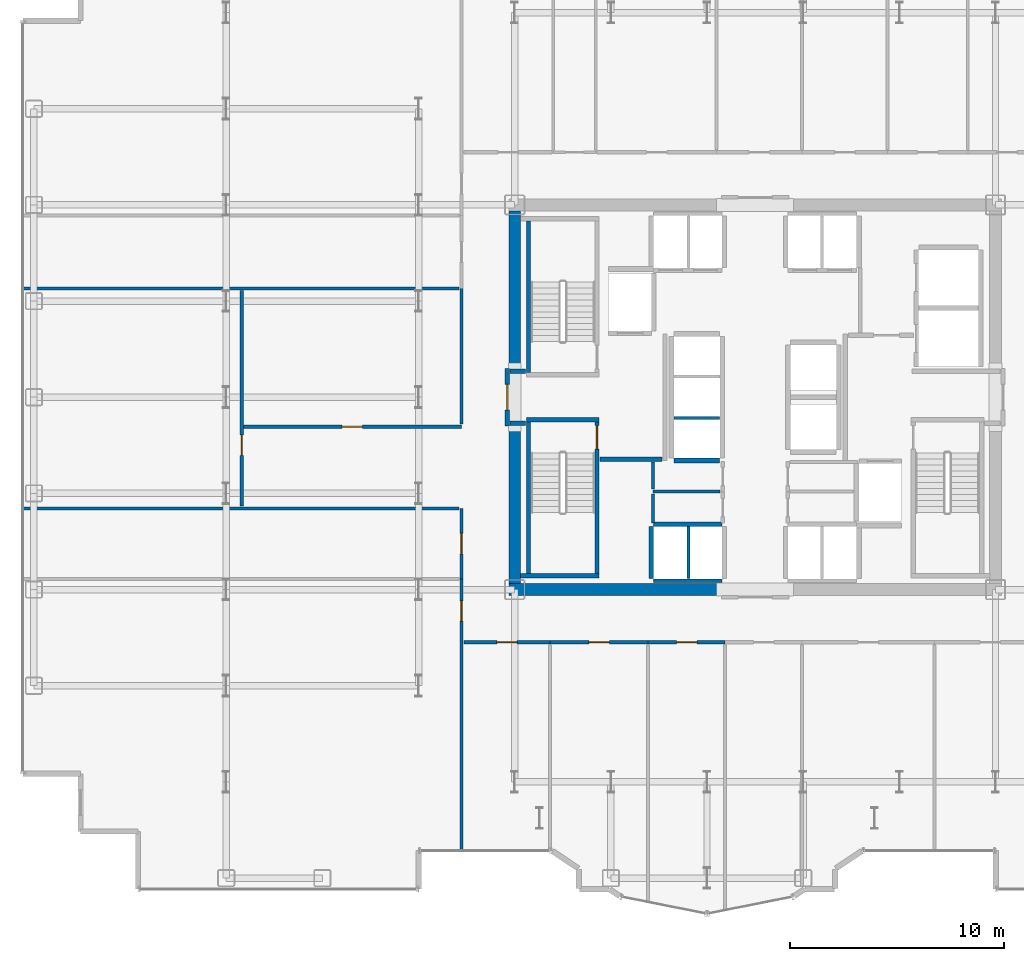
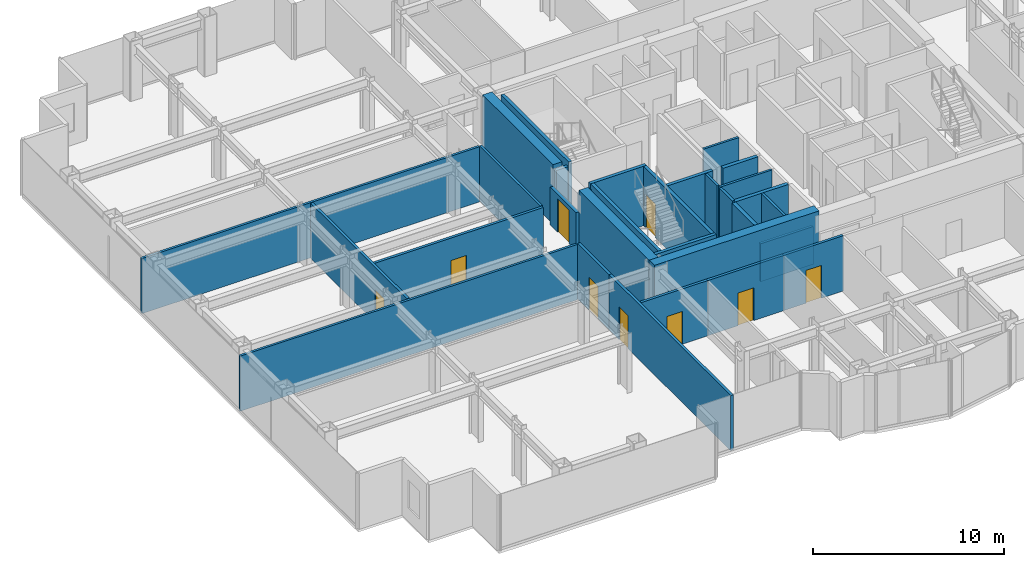
# One storey, part 20 of 26: 31 walls, 9 doors, 9 openings.
"""IFC4 building model written with IfcOpenShell, lengths in metres."""

from ifc_helpers import new_model, si_unit, direction, frame, frame_2d, origin, place, context, subcontext, project, spatial, rectangle, extrude, source, transform, mapped, material, layer, layer_set, type_object, element, fill, save


model = new_model("IFC4")

# Units and contexts
model_context = context("Model", 3, precision=1e-05, world=origin(), true_north=direction((0.0, 1.0)))
body_context = subcontext(model_context, "Body", "Model", "MODEL_VIEW")
ifc_project = project(units=[si_unit("LENGTHUNIT", "METRE"), si_unit("AREAUNIT", "SQUARE_METRE"), si_unit("VOLUMEUNIT", "CUBIC_METRE"), si_unit("PLANEANGLEUNIT", "RADIAN"), si_unit("MASSUNIT", "GRAM", prefix="KILO")], contexts=[model_context])

# Site, building, storey
site_placement = place(None, origin())
site = spatial("IfcSite", under=ifc_project, at=site_placement, CompositionType="ELEMENT")
building_placement = place(site_placement, origin())
building = spatial("IfcBuilding", under=site, at=building_placement, Name="Nefas-Gora Pilgrimage Tower", CompositionType="ELEMENT")
storey_placement = place(building_placement, frame((0.0, 0.0, 121.199951171875)))
storey = spatial("IfcBuildingStorey", under=building, at=storey_placement, Name="L29", CompositionType="ELEMENT", Elevation=121.199951171875)

# Walls
ifc_material_1 = material(Name="Concrete C60/75", Category="concrete")
ifc_layer_1 = layer(ifc_material_1, 0.550048828125)
ifc_layer_set_1 = layer_set([ifc_layer_1], Name="Concrete C60/75")
wall_type_1 = type_object("IfcWallType", Name="SW-CORE-550", PredefinedType="SHEAR", material=ifc_layer_set_1)
shared_shape_1 = source(origin(), body_context, "Body", "SweptSolid", [
    extrude(rectangle(XDim=9.974853515625, YDim=0.550048828125, at=frame_2d((4.9873046875, 0.0))), origin(), (0.0, 0.0, 1.0), 3.800048828125),
])
wall_1_placement = place(storey_placement, frame((-11.52490234375, -9.0, 0.0), z_axis=(0.0, 0.0, 1.0), x_axis=(1.0, 0.0, 0.0)))
element("IfcWall", 1, at=wall_1_placement, inside=storey, type_object=wall_type_1, Name="L29 Core Shear Wall S-West", PredefinedType="SHEAR", context=body_context, shape_type="MappedRepresentation", body=[
    mapped(shared_shape_1, transform((0.0, 0.0, 0.0), x_axis=(1.0, 0.0, 0.0), y_axis=(0.0, 1.0, 0.0), z_axis=(0.0, 0.0, 1.0), scale=1.0)),
])
shared_shape_2 = source(origin(), body_context, "Body", "SweptSolid", [
    extrude(rectangle(XDim=7.375, YDim=0.550048828125, at=frame_2d((3.6875, 0.0))), origin(), (0.0, 0.0, 1.0), 3.800048828125),
])
for number, where, z_axis, x_axis, name in (
    (2, (-11.25, -8.72509765625, 0.0), (0.0, 0.0, 1.0), (0.0, 1.0, 0.0), "L29 Core Shear Wall W-South"),
    (3, (-11.25, 1.35009765625, 0.0), (0.0, 0.0, 1.0), (0.0, 1.0, 0.0), "L29 Core Shear Wall W-North"),
):
    element("IfcWall", number, at=place(storey_placement, frame(where, z_axis=z_axis, x_axis=x_axis)), inside=storey, type_object=wall_type_1, Name=name, PredefinedType="SHEAR", context=body_context, shape_type="MappedRepresentation", body=[
        mapped(shared_shape_2, transform((0.0, 0.0, 0.0), x_axis=(1.0, 0.0, 0.0), y_axis=(0.0, 1.0, 0.0), z_axis=(0.0, 0.0, 1.0), scale=1.0)),
    ])
ifc_material_2 = material(Name="Concrete C45/55", Category="concrete")
ifc_layer_2 = layer(ifc_material_2, 0.199951171875)
ifc_layer_set_2 = layer_set([ifc_layer_2], Name="Concrete C45/55")
wall_type_2 = type_object("IfcWallType", Name="IW-STAIR-200", PredefinedType="SOLIDWALL", material=ifc_layer_set_2)
shared_shape_3 = source(origin(), body_context, "Body", "SweptSolid", [
    extrude(rectangle(XDim=3.39990234375, YDim=0.199951171875, at=frame_2d((1.699951171875, 0.0))), origin(), (0.0, 0.0, 1.0), 3.800048828125),
])
wall_2_placement = place(storey_placement, frame((-10.699951171875, -1.050048828125, 0.0), z_axis=(0.0, 0.0, 1.0), x_axis=(1.0, 0.0, 0.0)))
element("IfcWall", 4, at=wall_2_placement, inside=storey, type_object=wall_type_2, Name="L29 Stairwell Shear Wall ST-03-near", PredefinedType="SOLIDWALL", context=body_context, shape_type="MappedRepresentation", body=[
    mapped(shared_shape_3, transform((0.0, 0.0, 0.0), x_axis=(1.0, 0.0, 0.0), y_axis=(0.0, 1.0, 0.0), z_axis=(0.0, 0.0, 1.0), scale=1.0)),
])
shared_shape_4 = source(origin(), body_context, "Body", "SweptSolid", [
    extrude(rectangle(XDim=7.10009765625, YDim=0.199951171875, at=frame_2d((3.550048828125, 0.0))), origin(), (0.0, 0.0, 1.0), 3.800048828125),
])
for number, where, z_axis, x_axis, name in (
    (5, (-10.60009765625, 1.14990234375, 0.0), (0.0, 0.0, 1.0), (0.0, 1.0, 0.0), "L29 Stairwell Shear Wall ST-01-right"),
    (6, (-10.60009765625, -1.14990234375, 0.0), (0.0, 0.0, 1.0), (0.0, -1.0, 0.0), "L29 Stairwell Shear Wall ST-03-left"),
):
    element("IfcWall", number, at=place(storey_placement, frame(where, z_axis=z_axis, x_axis=x_axis)), inside=storey, type_object=wall_type_2, Name=name, PredefinedType="SOLIDWALL", context=body_context, shape_type="MappedRepresentation", body=[
        mapped(shared_shape_4, transform((0.0, 0.0, 0.0), x_axis=(1.0, 0.0, 0.0), y_axis=(0.0, 1.0, 0.0), z_axis=(0.0, 0.0, 1.0), scale=1.0)),
    ])

# Wall, opening, door
wall_3_placement = place(storey_placement, frame((-7.39990234375, -1.14990234375, 0.0), z_axis=(0.0, 0.0, 1.0), x_axis=(0.0, -1.0, 0.0)))
wall_3 = element("IfcWall", 7, at=wall_3_placement, inside=storey, type_object=wall_type_2, Name="L29 Stairwell Shear Wall ST-03-right", PredefinedType="SOLIDWALL", context=body_context, shape_type="MappedRepresentation", body=[
    mapped(shared_shape_4, transform((0.0, 0.0, 0.0), x_axis=(1.0, 0.0, 0.0), y_axis=(0.0, 1.0, 0.0), z_axis=(0.0, 0.0, 1.0), scale=1.0)),
])
opening_1_placement = place(wall_3_placement, frame((0.179931640625, 0.0, 0.0)))
opening_1 = element("IfcOpeningElement", 8, at=opening_1_placement, cuts=wall_3, Name="Opening ID-ST1", PredefinedType="OPENING", context=body_context, shape_type="SweptSolid", body=[
    extrude(rectangle(XDim=1.10009765625, YDim=2.14990234375, at=frame_2d((0.550048828125, 1.074951171875))), frame((0.0, 0.10986328125, 0.0), z_axis=(0.0, -1.0, 0.0), x_axis=(1.0, 0.0, 0.0)), (0.0, 0.0, 1.0), 0.219970703125),
])
ifc_material_3 = material(Name="Painted galvanised steel fire stair door", Category="steel")
door_type_1 = type_object("IfcDoorType", Name="DR-INT-STAIR-1100", OperationType="NOTDEFINED", PredefinedType="DOOR", material=ifc_material_3)
shared_shape_5 = source(origin(), body_context, "Body", "SweptSolid", [
    extrude(rectangle(XDim=1.10009765625, YDim=2.14990234375, at=frame_2d((0.550048828125, 1.074951171875))), frame((0.0, 0.02490234375, 0.0), z_axis=(0.0, -1.0, 0.0), x_axis=(1.0, 0.0, 0.0)), (0.0, 0.0, 1.0), 0.050048828125),
])
door_1_placement = place(opening_1_placement, origin())
door_1 = element("IfcDoor", 9, at=door_1_placement, inside=storey, type_object=door_type_1, Name="L29 Protected Exit Stair Door ST-03", OperationType="SINGLE_SWING_LEFT", OverallHeight=2.14990234375, OverallWidth=1.10009765625, PredefinedType="DOOR", context=body_context, shape_type="MappedRepresentation", body=[
    mapped(shared_shape_5, transform((0.0, 0.0, 0.0), x_axis=(1.0, 0.0, 0.0), y_axis=(0.0, 1.0, 0.0), z_axis=(0.0, 0.0, 1.0), scale=1.0)),
])
fill(opening_1, door_1)

# Walls
shared_shape_6 = source(origin(), body_context, "Body", "SweptSolid", [
    extrude(rectangle(XDim=3.679931640625, YDim=0.199951171875, at=frame_2d((1.83984375, 0.0))), origin(), (0.0, 0.0, 1.0), 3.800048828125),
])
wall_4_placement = place(storey_placement, frame((-10.97998046875, -8.35009765625, 0.0), z_axis=(0.0, 0.0, 1.0), x_axis=(1.0, 0.0, 0.0)))
element("IfcWall", 10, at=wall_4_placement, inside=storey, type_object=wall_type_2, Name="L29 Stairwell Shear Wall ST-03-far", PredefinedType="SOLIDWALL", context=body_context, shape_type="MappedRepresentation", body=[
    mapped(shared_shape_6, transform((0.0, 0.0, 0.0), x_axis=(1.0, 0.0, 0.0), y_axis=(0.0, 1.0, 0.0), z_axis=(0.0, 0.0, 1.0), scale=1.0)),
])
ifc_material_4 = material(Name="Gypsum acoustic stud partition")
ifc_layer_3 = layer(ifc_material_4, 0.159912109375)
ifc_layer_set_3 = layer_set([ifc_layer_3], Name="Gypsum acoustic stud partition")
wall_type_3 = type_object("IfcWallType", Name="IW-CORR-160", PredefinedType="PARTITIONING", material=ifc_layer_set_3)
shared_shape_7 = source(origin(), body_context, "Body", "SweptSolid", [
    extrude(rectangle(XDim=3.199951171875, YDim=0.159912109375, at=frame_2d((1.60009765625, 0.0))), origin(), (0.0, 0.0, 1.0), 2.425048828125),
])
wall_5_placement = place(storey_placement, frame((-4.75, -8.580078125, 0.0), z_axis=(0.0, 0.0, 1.0), x_axis=(1.0, 0.0, 0.0)))
element("IfcWall", 11, at=wall_5_placement, inside=storey, type_object=wall_type_3, Name="L29 Hoistway Wall PL2-W-S", PredefinedType="PARTITIONING", context=body_context, shape_type="MappedRepresentation", body=[
    mapped(shared_shape_7, transform((0.0, 0.0, 0.0), x_axis=(1.0, 0.0, 0.0), y_axis=(0.0, 1.0, 0.0), z_axis=(0.0, 0.0, 1.0), scale=1.0)),
])
ifc_material_5 = material(Name="Concrete C40/50", Category="concrete")
ifc_layer_4 = layer(ifc_material_5, 0.219970703125)
ifc_layer_set_4 = layer_set([ifc_layer_4], Name="Concrete C40/50")
wall_type_4 = type_object("IfcWallType", Name="IW-SHAFT-220", PredefinedType="SOLIDWALL", material=ifc_layer_set_4)
shared_shape_8 = source(origin(), body_context, "Body", "SweptSolid", [
    extrude(rectangle(XDim=3.199951171875, YDim=0.219970703125, at=frame_2d((1.60009765625, 0.0))), origin(), (0.0, 0.0, 1.0), 3.53515625),
])
wall_6_placement = place(storey_placement, frame((-1.550048828125, -5.93994140625, 0.0), z_axis=(0.0, 0.0, 1.0), x_axis=(-1.0, 0.0, 0.0)))
element("IfcWall", 12, at=wall_6_placement, inside=storey, type_object=wall_type_4, Name="L29 Hoistway Wall PL2-W-N", PredefinedType="SOLIDWALL", context=body_context, shape_type="MappedRepresentation", body=[
    mapped(shared_shape_8, transform((0.0, 0.0, 0.0), x_axis=(1.0, 0.0, 0.0), y_axis=(0.0, 1.0, 0.0), z_axis=(0.0, 0.0, 1.0), scale=1.0)),
])
shared_shape_9 = source(origin(), body_context, "Body", "SweptSolid", [
    extrude(rectangle(XDim=2.429931640625, YDim=0.219970703125, at=frame_2d((1.21484375, 0.0))), origin(), (0.0, 0.0, 1.0), 3.53515625),
])
wall_7_placement = place(storey_placement, frame((-4.860107421875, -6.06005859375, 0.0), z_axis=(0.0, 0.0, 1.0), x_axis=(0.0, -1.0, 0.0)))
element("IfcWall", 13, at=wall_7_placement, inside=storey, type_object=wall_type_4, Name="L29 Hoistway Wall PL2-W-W", PredefinedType="SOLIDWALL", context=body_context, shape_type="MappedRepresentation", body=[
    mapped(shared_shape_9, transform((0.0, 0.0, 0.0), x_axis=(1.0, 0.0, 0.0), y_axis=(0.0, 1.0, 0.0), z_axis=(0.0, 0.0, 1.0), scale=1.0)),
])
ifc_material_6 = material(Name="Gypsum twin-stud partition")
ifc_layer_5 = layer(ifc_material_6, 0.139892578125)
ifc_layer_set_5 = layer_set([ifc_layer_5], Name="Gypsum twin-stud partition")
wall_type_5 = type_object("IfcWallType", Name="IW-UNIT-140", PredefinedType="PARTITIONING", material=ifc_layer_set_5)
shared_shape_10 = source(origin(), body_context, "Body", "SweptSolid", [
    extrude(rectangle(XDim=2.429931640625, YDim=0.139892578125, at=frame_2d((1.21484375, 0.0))), origin(), (0.0, 0.0, 1.0), 3.53515625),
])
wall_8_placement = place(storey_placement, frame((-3.125, -8.489990234375, 0.0), z_axis=(0.0, 0.0, 1.0), x_axis=(0.0, 1.0, 0.0)))
element("IfcWall", 14, at=wall_8_placement, inside=storey, type_object=wall_type_5, Name="L29 Hoistway Wall PL2-W-DIV", PredefinedType="PARTITIONING", context=body_context, shape_type="MappedRepresentation", body=[
    mapped(shared_shape_10, transform((0.0, 0.0, 0.0), x_axis=(1.0, 0.0, 0.0), y_axis=(0.0, 1.0, 0.0), z_axis=(0.0, 0.0, 1.0), scale=1.0)),
])
shared_shape_11 = source(origin(), body_context, "Body", "SweptSolid", [
    extrude(rectangle(XDim=2.130126953125, YDim=0.219970703125, at=frame_2d((1.06494140625, 0.0))), origin(), (0.0, 0.0, 1.0), 3.53515625),
])
wall_9_placement = place(storey_placement, frame((-3.7900390625, -2.9599609375, 0.0), z_axis=(0.0, 0.0, 1.0), x_axis=(1.0, 0.0, 0.0)))
element("IfcWall", 15, at=wall_9_placement, inside=storey, type_object=wall_type_4, Name="L29 Hoistway Wall PL3-01-S", PredefinedType="SOLIDWALL", context=body_context, shape_type="MappedRepresentation", body=[
    mapped(shared_shape_11, transform((0.0, 0.0, 0.0), x_axis=(1.0, 0.0, 0.0), y_axis=(0.0, 1.0, 0.0), z_axis=(0.0, 0.0, 1.0), scale=1.0)),
])
shared_shape_12 = source(origin(), body_context, "Body", "SweptSolid", [
    extrude(rectangle(XDim=2.130126953125, YDim=0.139892578125, at=frame_2d((1.06494140625, 0.0))), origin(), (0.0, 0.0, 1.0), 3.53515625),
])
wall_10_placement = place(storey_placement, frame((-3.7900390625, -0.97509765625, 0.0), z_axis=(0.0, 0.0, 1.0), x_axis=(1.0, 0.0, 0.0)))
element("IfcWall", 16, at=wall_10_placement, inside=storey, type_object=wall_type_5, Name="L29 Hoistway Wall PL3-01-02-DIV", PredefinedType="PARTITIONING", context=body_context, shape_type="MappedRepresentation", body=[
    mapped(shared_shape_12, transform((0.0, 0.0, 0.0), x_axis=(1.0, 0.0, 0.0), y_axis=(0.0, 1.0, 0.0), z_axis=(0.0, 0.0, 1.0), scale=1.0)),
])

# Wall, opening, door
ifc_material_7 = material(Name="Gypsum fire-rated shaftwall")
ifc_layer_6 = layer(ifc_material_7, 0.199951171875)
ifc_layer_set_6 = layer_set([ifc_layer_6], Name="Gypsum fire-rated shaftwall")
wall_type_6 = type_object("IfcWallType", Name="IW-FFLOB-200", PredefinedType="PARTITIONING", material=ifc_layer_set_6)
shared_shape_13 = source(origin(), body_context, "Body", "SweptSolid", [
    extrude(rectangle(XDim=2.7001953125, YDim=0.199951171875, at=frame_2d((1.35009765625, 0.0))), origin(), (0.0, 0.0, 1.0), 2.425048828125),
])
wall_11_placement = place(storey_placement, frame((-11.60009765625, -1.35009765625, 0.0), z_axis=(0.0, 0.0, 1.0), x_axis=(0.0, 1.0, 0.0)))
wall_11 = element("IfcWall", 17, at=wall_11_placement, inside=storey, type_object=wall_type_6, Name="L29 FF Lobby West Portal Wall 3", PredefinedType="PARTITIONING", context=body_context, shape_type="MappedRepresentation", body=[
    mapped(shared_shape_13, transform((0.0, 0.0, 0.0), x_axis=(1.0, 0.0, 0.0), y_axis=(0.0, 1.0, 0.0), z_axis=(0.0, 0.0, 1.0), scale=1.0)),
])
opening_2_placement = place(wall_11_placement, frame((0.75, 0.0, 0.0)))
opening_2 = element("IfcOpeningElement", 18, at=opening_2_placement, cuts=wall_11, Name="Opening ID-FF1", PredefinedType="OPENING", context=body_context, shape_type="SweptSolid", body=[
    extrude(rectangle(XDim=1.199951171875, YDim=2.14990234375, at=frame_2d((0.60009765625, 1.074951171875))), frame((0.0, 0.10986328125, 0.0), z_axis=(0.0, -1.0, 0.0), x_axis=(1.0, 0.0, 0.0)), (0.0, 0.0, 1.0), 0.219970703125),
])
ifc_material_8 = material(Name="Smoke-sealed steel firefighting lobby door", Category="steel")
door_type_2 = type_object("IfcDoorType", Name="DR-INT-FFLOB-1200", OperationType="NOTDEFINED", PredefinedType="DOOR", material=ifc_material_8)
shared_shape_14 = source(origin(), body_context, "Body", "SweptSolid", [
    extrude(rectangle(XDim=1.199951171875, YDim=2.14990234375, at=frame_2d((0.60009765625, 1.074951171875))), frame((0.0, 0.02490234375, 0.0), z_axis=(0.0, -1.0, 0.0), x_axis=(1.0, 0.0, 0.0)), (0.0, 0.0, 1.0), 0.050048828125),
])
door_2_placement = place(opening_2_placement, origin())
door_2 = element("IfcDoor", 19, at=door_2_placement, inside=storey, type_object=door_type_2, Name="L29 FF Lobby West Portal Door 1", OperationType="SINGLE_SWING_LEFT", OverallHeight=2.14990234375, OverallWidth=1.199951171875, PredefinedType="DOOR", context=body_context, shape_type="MappedRepresentation", body=[
    mapped(shared_shape_14, transform((0.0, 0.0, 0.0), x_axis=(1.0, 0.0, 0.0), y_axis=(0.0, 1.0, 0.0), z_axis=(0.0, 0.0, 1.0), scale=1.0)),
])
fill(opening_2, door_2)

# Walls
shared_shape_15 = source(origin(), body_context, "Body", "SweptSolid", [
    extrude(rectangle(XDim=2.89990234375, YDim=0.199951171875, at=frame_2d((1.449951171875, 0.0))), origin(), (0.0, 0.0, 1.0), 3.53515625),
])
wall_12_placement = place(storey_placement, frame((-7.260009765625, -2.89990234375, 0.0), z_axis=(0.0, 0.0, 1.0), x_axis=(1.0, 0.0, 0.0)))
element("IfcWall", 20, at=wall_12_placement, inside=storey, type_object=wall_type_6, Name="L29 FF Lobby West South Wall Wall 5", PredefinedType="PARTITIONING", context=body_context, shape_type="MappedRepresentation", body=[
    mapped(shared_shape_15, transform((0.0, 0.0, 0.0), x_axis=(1.0, 0.0, 0.0), y_axis=(0.0, 1.0, 0.0), z_axis=(0.0, 0.0, 1.0), scale=1.0)),
])
shared_shape_16 = source(origin(), body_context, "Body", "SweptSolid", [
    extrude(rectangle(XDim=0.719970703125, YDim=0.199951171875, at=frame_2d((0.35986328125, 0.0))), origin(), (0.0, 0.0, 1.0), 3.53515625),
])
for number, where, z_axis, x_axis, name in (
    (21, (-11.4599609375, 1.219970703125, 0.0), (0.0, 0.0, 1.0), (1.0, 0.0, 0.0), "L29 FF Lobby West Throat N Wall 6"),
    (22, (-11.4599609375, -1.219970703125, 0.0), (0.0, 0.0, 1.0), (1.0, 0.0, 0.0), "L29 FF Lobby West Throat S Wall 7"),
):
    element("IfcWall", number, at=place(storey_placement, frame(where, z_axis=z_axis, x_axis=x_axis)), inside=storey, type_object=wall_type_6, Name=name, PredefinedType="PARTITIONING", context=body_context, shape_type="MappedRepresentation", body=[
        mapped(shared_shape_16, transform((0.0, 0.0, 0.0), x_axis=(1.0, 0.0, 0.0), y_axis=(0.0, 1.0, 0.0), z_axis=(0.0, 0.0, 1.0), scale=1.0)),
    ])
shared_shape_17 = source(origin(), body_context, "Body", "SweptSolid", [
    extrude(rectangle(XDim=3.150146484375, YDim=0.139892578125, at=frame_2d((1.5751953125, 0.0))), origin(), (0.0, 0.0, 1.0), 3.53515625),
])
wall_13_placement = place(storey_placement, frame((-4.7900390625, -4.409912109375, 0.0), z_axis=(0.0, 0.0, 1.0), x_axis=(1.0, 0.0, 0.0)))
element("IfcWall", 23, at=wall_13_placement, inside=storey, type_object=wall_type_5, Name="L29 Housekeeping and Linen Store Partition Wall 17", PredefinedType="PARTITIONING", context=body_context, shape_type="MappedRepresentation", body=[
    mapped(shared_shape_17, transform((0.0, 0.0, 0.0), x_axis=(1.0, 0.0, 0.0), y_axis=(0.0, 1.0, 0.0), z_axis=(0.0, 0.0, 1.0), scale=1.0)),
])
shared_shape_18 = source(origin(), body_context, "Body", "SweptSolid", [
    extrude(rectangle(XDim=1.260009765625, YDim=0.139892578125, at=frame_2d((0.6298828125, 0.0))), origin(), (0.0, 0.0, 1.0), 3.53515625),
])
wall_14_placement = place(storey_placement, frame((-4.780029296875, -4.300048828125, 0.0), z_axis=(0.0, 0.0, 1.0), x_axis=(0.0, 1.0, 0.0)))
element("IfcWall", 24, at=wall_14_placement, inside=storey, type_object=wall_type_5, Name="L29 Housekeeping and Linen Store Partition Wall 18", PredefinedType="PARTITIONING", context=body_context, shape_type="MappedRepresentation", body=[
    mapped(shared_shape_18, transform((0.0, 0.0, 0.0), x_axis=(1.0, 0.0, 0.0), y_axis=(0.0, 1.0, 0.0), z_axis=(0.0, 0.0, 1.0), scale=1.0)),
])
shared_shape_19 = source(origin(), body_context, "Body", "SweptSolid", [
    extrude(rectangle(XDim=1.369873046875, YDim=0.139892578125, at=frame_2d((0.68505859375, 0.0))), origin(), (0.0, 0.0, 1.0), 3.53515625),
])
wall_15_placement = place(storey_placement, frame((-4.780029296875, -5.889892578125, 0.0), z_axis=(0.0, 0.0, 1.0), x_axis=(0.0, 1.0, 0.0)))
element("IfcWall", 25, at=wall_15_placement, inside=storey, type_object=wall_type_5, Name="L29 Guest Self-Service Laundry Room Partition Wall 20", PredefinedType="PARTITIONING", context=body_context, shape_type="MappedRepresentation", body=[
    mapped(shared_shape_19, transform((0.0, 0.0, 0.0), x_axis=(1.0, 0.0, 0.0), y_axis=(0.0, 1.0, 0.0), z_axis=(0.0, 0.0, 1.0), scale=1.0)),
])

# Wall, opening, door
shared_shape_20 = source(origin(), body_context, "Body", "SweptSolid", [
    extrude(rectangle(XDim=12.744873046875, YDim=0.159912109375, at=frame_2d((6.37255859375, 0.0))), origin(), (0.0, 0.0, 1.0), 3.53515625),
])
wall_16_placement = place(storey_placement, frame((-13.739990234375, -21.239990234375, 0.0), z_axis=(0.0, 0.0, 1.0), x_axis=(0.0, 1.0, 0.0)))
wall_16 = element("IfcWall", 26, at=wall_16_placement, inside=storey, type_object=wall_type_3, Name="L29 Pilgrim Devotional Prayer Gallery Partition Wall 28", PredefinedType="PARTITIONING", context=body_context, shape_type="MappedRepresentation", body=[
    mapped(shared_shape_20, transform((0.0, 0.0, 0.0), x_axis=(1.0, 0.0, 0.0), y_axis=(0.0, 1.0, 0.0), z_axis=(0.0, 0.0, 1.0), scale=1.0)),
])
opening_3_placement = place(wall_16_placement, frame((10.762451171875, 0.0, 0.0)))
opening_3 = element("IfcOpeningElement", 27, at=opening_3_placement, cuts=wall_16, Name="Opening ID-GR1", PredefinedType="OPENING", context=body_context, shape_type="SweptSolid", body=[
    extrude(rectangle(XDim=0.949951171875, YDim=2.10009765625, at=frame_2d((0.47509765625, 1.050048828125))), frame((0.0, 0.08984375, 0.0), z_axis=(0.0, -1.0, 0.0), x_axis=(1.0, 0.0, 0.0)), (0.0, 0.0, 1.0), 0.179931640625),
])
ifc_material_9 = material(Name="Solid core oak fire-rated guest entrance door")
door_type_3 = type_object("IfcDoorType", Name="DR-INT-GUEST-950", OperationType="NOTDEFINED", PredefinedType="DOOR", material=ifc_material_9)
shared_shape_21 = source(origin(), body_context, "Body", "SweptSolid", [
    extrude(rectangle(XDim=0.949951171875, YDim=2.10009765625, at=frame_2d((0.47509765625, 1.050048828125))), frame((0.0, 0.02490234375, 0.0), z_axis=(0.0, -1.0, 0.0), x_axis=(1.0, 0.0, 0.0)), (0.0, 0.0, 1.0), 0.050048828125),
])
door_3_placement = place(opening_3_placement, origin())
door_3 = element("IfcDoor", 28, at=door_3_placement, inside=storey, type_object=door_type_3, Name="L29 Pilgrim Devotional Prayer Gallery Door 11", OperationType="SINGLE_SWING_LEFT", OverallHeight=2.10009765625, OverallWidth=0.949951171875, PredefinedType="DOOR", context=body_context, shape_type="MappedRepresentation", body=[
    mapped(shared_shape_21, transform((0.0, 0.0, 0.0), x_axis=(1.0, 0.0, 0.0), y_axis=(0.0, 1.0, 0.0), z_axis=(0.0, 0.0, 1.0), scale=1.0)),
])
fill(opening_3, door_3)

shared_shape_22 = source(origin(), body_context, "Body", "SweptSolid", [
    extrude(rectangle(XDim=10.25, YDim=0.159912109375, at=frame_2d((5.125, 0.0))), origin(), (0.0, 0.0, 1.0), 3.53515625),
])
wall_17_placement = place(storey_placement, frame((-23.97998046875, -1.3798828125, 0.0), z_axis=(0.0, 0.0, 1.0), x_axis=(1.0, 0.0, 0.0)))
wall_17 = element("IfcWall", 29, at=wall_17_placement, inside=storey, type_object=wall_type_3, Name="L29 Pilgrim Devotional Prayer Gallery Partition Wall 32", PredefinedType="PARTITIONING", context=body_context, shape_type="MappedRepresentation", body=[
    mapped(shared_shape_22, transform((0.0, 0.0, 0.0), x_axis=(1.0, 0.0, 0.0), y_axis=(0.0, 1.0, 0.0), z_axis=(0.0, 0.0, 1.0), scale=1.0)),
])
opening_4_placement = place(wall_17_placement, frame((4.64990234375, 0.0, 0.0)))
opening_4 = element("IfcOpeningElement", 30, at=opening_4_placement, cuts=wall_17, Name="Opening ID-GR1", PredefinedType="OPENING", context=body_context, shape_type="SweptSolid", body=[
    extrude(rectangle(XDim=0.949951171875, YDim=2.10009765625, at=frame_2d((0.47509765625, 1.050048828125))), frame((0.0, 0.08984375, 0.0), z_axis=(0.0, -1.0, 0.0), x_axis=(1.0, 0.0, 0.0)), (0.0, 0.0, 1.0), 0.179931640625),
])
door_4_placement = place(opening_4_placement, origin())
door_4 = element("IfcDoor", 31, at=door_4_placement, inside=storey, type_object=door_type_3, Name="L29 Pilgrim Devotional Prayer Gallery Door 13", OperationType="SINGLE_SWING_LEFT", OverallHeight=2.10009765625, OverallWidth=0.949951171875, PredefinedType="DOOR", context=body_context, shape_type="MappedRepresentation", body=[
    mapped(shared_shape_21, transform((0.0, 0.0, 0.0), x_axis=(1.0, 0.0, 0.0), y_axis=(0.0, 1.0, 0.0), z_axis=(0.0, 0.0, 1.0), scale=1.0)),
])
fill(opening_4, door_4)

# Wall
shared_shape_23 = source(origin(), body_context, "Body", "SweptSolid", [
    extrude(rectangle(XDim=20.429931640625, YDim=0.139892578125, at=frame_2d((10.21484375, 0.0))), origin(), (0.0, 0.0, 1.0), 3.53515625),
])
wall_18_placement = place(storey_placement, frame((-34.2900390625, -5.205078125, 0.0), z_axis=(0.0, 0.0, 1.0), x_axis=(1.0, 0.0, 0.0)))
element("IfcWall", 32, at=wall_18_placement, inside=storey, type_object=wall_type_5, Name="L29 Pilgrim Devotional Prayer Gallery Partition Wall 31", PredefinedType="PARTITIONING", context=body_context, shape_type="MappedRepresentation", body=[
    mapped(shared_shape_23, transform((0.0, 0.0, 0.0), x_axis=(1.0, 0.0, 0.0), y_axis=(0.0, 1.0, 0.0), z_axis=(0.0, 0.0, 1.0), scale=1.0)),
])

# Wall, opening, door
shared_shape_24 = source(origin(), body_context, "Body", "SweptSolid", [
    extrude(rectangle(XDim=3.309814453125, YDim=0.159912109375, at=frame_2d((1.65478515625, 0.0))), origin(), (0.0, 0.0, 1.0), 3.53515625),
])
wall_19_placement = place(storey_placement, frame((-13.739990234375, -8.5048828125, 0.0), z_axis=(0.0, 0.0, 1.0), x_axis=(0.0, 1.0, 0.0)))
wall_19 = element("IfcWall", 33, at=wall_19_placement, inside=storey, type_object=wall_type_3, Name="L29 Pilgrim Devotional Prayer Gallery Partition Wall 30", PredefinedType="PARTITIONING", context=body_context, shape_type="MappedRepresentation", body=[
    mapped(shared_shape_24, transform((0.0, 0.0, 0.0), x_axis=(1.0, 0.0, 0.0), y_axis=(0.0, 1.0, 0.0), z_axis=(0.0, 0.0, 1.0), scale=1.0)),
])
opening_5_placement = place(wall_19_placement, frame((1.179931640625, 0.0, 0.0)))
opening_5 = element("IfcOpeningElement", 34, at=opening_5_placement, cuts=wall_19, Name="Opening ID-GR1", PredefinedType="OPENING", context=body_context, shape_type="SweptSolid", body=[
    extrude(rectangle(XDim=0.949951171875, YDim=2.10009765625, at=frame_2d((0.47509765625, 1.050048828125))), frame((0.0, 0.08984375, 0.0), z_axis=(0.0, -1.0, 0.0), x_axis=(1.0, 0.0, 0.0)), (0.0, 0.0, 1.0), 0.179931640625),
])
door_5_placement = place(opening_5_placement, origin())
door_5 = element("IfcDoor", 35, at=door_5_placement, inside=storey, type_object=door_type_3, Name="L29 Pilgrim Devotional Prayer Gallery Door 12", OperationType="SINGLE_SWING_RIGHT", OverallHeight=2.10009765625, OverallWidth=0.949951171875, PredefinedType="DOOR", context=body_context, shape_type="MappedRepresentation", body=[
    mapped(shared_shape_21, transform((0.0, 0.0, 0.0), x_axis=(1.0, 0.0, 0.0), y_axis=(0.0, 1.0, 0.0), z_axis=(0.0, 0.0, 1.0), scale=1.0)),
])
fill(opening_5, door_5)

# Wall
shared_shape_25 = source(origin(), body_context, "Body", "SweptSolid", [
    extrude(rectangle(XDim=20.43994140625, YDim=0.139892578125, at=frame_2d((10.219970703125, 0.0))), origin(), (0.0, 0.0, 1.0), 3.53515625),
])
wall_20_placement = place(storey_placement, frame((-34.2900390625, 5.094970703125, 0.0), z_axis=(0.0, 0.0, 1.0), x_axis=(1.0, 0.0, 0.0)))
element("IfcWall", 36, at=wall_20_placement, inside=storey, type_object=wall_type_5, Name="L29 Pilgrim Devotional Prayer Gallery Partition Wall 34", PredefinedType="PARTITIONING", context=body_context, shape_type="MappedRepresentation", body=[
    mapped(shared_shape_25, transform((0.0, 0.0, 0.0), x_axis=(1.0, 0.0, 0.0), y_axis=(0.0, 1.0, 0.0), z_axis=(0.0, 0.0, 1.0), scale=1.0)),
])

# Wall, opening, door
shared_shape_26 = source(origin(), body_context, "Body", "SweptSolid", [
    extrude(rectangle(XDim=4.60986328125, YDim=0.159912109375, at=frame_2d((2.304931640625, 0.0))), origin(), (0.0, 0.0, 1.0), 3.53515625),
])
wall_21_placement = place(storey_placement, frame((-9.60498046875, -11.469970703125, 0.0), z_axis=(0.0, 0.0, 1.0), x_axis=(1.0, 0.0, 0.0)))
wall_21 = element("IfcWall", 37, at=wall_21_placement, inside=storey, type_object=wall_type_3, Name="L29 Pilgrim Contemplative Lounge Partition Wall 61", PredefinedType="PARTITIONING", context=body_context, shape_type="MappedRepresentation", body=[
    mapped(shared_shape_26, transform((0.0, 0.0, 0.0), x_axis=(1.0, 0.0, 0.0), y_axis=(0.0, 1.0, 0.0), z_axis=(0.0, 0.0, 1.0), scale=1.0)),
])
opening_6_placement = place(wall_21_placement, frame((1.830078125, 0.0, 0.0)))
opening_6 = element("IfcOpeningElement", 38, at=opening_6_placement, cuts=wall_21, Name="Opening ID-GR1", PredefinedType="OPENING", context=body_context, shape_type="SweptSolid", body=[
    extrude(rectangle(XDim=0.949951171875, YDim=2.10009765625, at=frame_2d((0.47509765625, 1.050048828125))), frame((0.0, 0.08984375, 0.0), z_axis=(0.0, -1.0, 0.0), x_axis=(1.0, 0.0, 0.0)), (0.0, 0.0, 1.0), 0.179931640625),
])
door_6_placement = place(opening_6_placement, origin())
door_6 = element("IfcDoor", 39, at=door_6_placement, inside=storey, type_object=door_type_3, Name="L29 Pilgrim Contemplative Lounge Door 29", OperationType="SINGLE_SWING_LEFT", OverallHeight=2.10009765625, OverallWidth=0.949951171875, PredefinedType="DOOR", context=body_context, shape_type="MappedRepresentation", body=[
    mapped(shared_shape_21, transform((0.0, 0.0, 0.0), x_axis=(1.0, 0.0, 0.0), y_axis=(0.0, 1.0, 0.0), z_axis=(0.0, 0.0, 1.0), scale=1.0)),
])
fill(opening_6, door_6)

# Wall
shared_shape_27 = source(origin(), body_context, "Body", "SweptSolid", [
    extrude(rectangle(XDim=6.364990234375, YDim=0.139892578125, at=frame_2d((3.1826171875, 0.0))), origin(), (0.0, 0.0, 1.0), 3.53515625),
])
wall_22_placement = place(storey_placement, frame((-13.739990234375, -1.260009765625, 0.0), z_axis=(0.0, 0.0, 1.0), x_axis=(0.0, 1.0, 0.0)))
element("IfcWall", 40, at=wall_22_placement, inside=storey, type_object=wall_type_5, Name="L29 Pilgrim Devotional Prayer Gallery Partition Wall 33", PredefinedType="PARTITIONING", context=body_context, shape_type="MappedRepresentation", body=[
    mapped(shared_shape_27, transform((0.0, 0.0, 0.0), x_axis=(1.0, 0.0, 0.0), y_axis=(0.0, 1.0, 0.0), z_axis=(0.0, 0.0, 1.0), scale=1.0)),
])

# Wall, opening, door
shared_shape_28 = source(origin(), body_context, "Body", "SweptSolid", [
    extrude(rectangle(XDim=10.080078125, YDim=0.159912109375, at=frame_2d((5.0400390625, 0.0))), origin(), (0.0, 0.0, 1.0), 3.53515625),
])
wall_23_placement = place(storey_placement, frame((-24.02001953125, -5.094970703125, 0.0), z_axis=(0.0, 0.0, 1.0), x_axis=(0.0, 1.0, 0.0)))
wall_23 = element("IfcWall", 41, at=wall_23_placement, inside=storey, type_object=wall_type_3, Name="L29 Pilgrim Tea and Beverage Pantry Partition Wall 35", PredefinedType="PARTITIONING", context=body_context, shape_type="MappedRepresentation", body=[
    mapped(shared_shape_28, transform((0.0, 0.0, 0.0), x_axis=(1.0, 0.0, 0.0), y_axis=(0.0, 1.0, 0.0), z_axis=(0.0, 0.0, 1.0), scale=1.0)),
])
opening_7_placement = place(wall_23_placement, frame((2.3701171875, 0.0, 0.0)))
opening_7 = element("IfcOpeningElement", 42, at=opening_7_placement, cuts=wall_23, Name="Opening ID-GR1", PredefinedType="OPENING", context=body_context, shape_type="SweptSolid", body=[
    extrude(rectangle(XDim=0.949951171875, YDim=2.10009765625, at=frame_2d((0.47509765625, 1.050048828125))), frame((0.0, 0.08984375, 0.0), z_axis=(0.0, -1.0, 0.0), x_axis=(1.0, 0.0, 0.0)), (0.0, 0.0, 1.0), 0.179931640625),
])
door_7_placement = place(opening_7_placement, origin())
door_7 = element("IfcDoor", 43, at=door_7_placement, inside=storey, type_object=door_type_3, Name="L29 Pilgrim Tea and Beverage Pantry Door 14", OperationType="SINGLE_SWING_RIGHT", OverallHeight=2.10009765625, OverallWidth=0.949951171875, PredefinedType="DOOR", context=body_context, shape_type="MappedRepresentation", body=[
    mapped(shared_shape_21, transform((0.0, 0.0, 0.0), x_axis=(1.0, 0.0, 0.0), y_axis=(0.0, 1.0, 0.0), z_axis=(0.0, 0.0, 1.0), scale=1.0)),
])
fill(opening_7, door_7)

shared_shape_29 = source(origin(), body_context, "Body", "SweptSolid", [
    extrude(rectangle(XDim=4.025146484375, YDim=0.159912109375, at=frame_2d((2.0126953125, 0.0))), origin(), (0.0, 0.0, 1.0), 3.53515625),
])
wall_24_placement = place(storey_placement, frame((-13.6201171875, -11.469970703125, 0.0), z_axis=(0.0, 0.0, 1.0), x_axis=(1.0, 0.0, 0.0)))
wall_24 = element("IfcWall", 44, at=wall_24_placement, inside=storey, type_object=wall_type_3, Name="L29 Pilgrim Contemplative Lounge Partition Wall 59", PredefinedType="PARTITIONING", context=body_context, shape_type="MappedRepresentation", body=[
    mapped(shared_shape_29, transform((0.0, 0.0, 0.0), x_axis=(1.0, 0.0, 0.0), y_axis=(0.0, 1.0, 0.0), z_axis=(0.0, 0.0, 1.0), scale=1.0)),
])
opening_8_placement = place(wall_24_placement, frame((1.53759765625, 0.0, 0.0)))
opening_8 = element("IfcOpeningElement", 45, at=opening_8_placement, cuts=wall_24, Name="Opening ID-GR1", PredefinedType="OPENING", context=body_context, shape_type="SweptSolid", body=[
    extrude(rectangle(XDim=0.949951171875, YDim=2.10009765625, at=frame_2d((0.47509765625, 1.050048828125))), frame((0.0, 0.08984375, 0.0), z_axis=(0.0, -1.0, 0.0), x_axis=(1.0, 0.0, 0.0)), (0.0, 0.0, 1.0), 0.179931640625),
])
door_8_placement = place(opening_8_placement, origin())
door_8 = element("IfcDoor", 46, at=door_8_placement, inside=storey, type_object=door_type_3, Name="L29 Pilgrim Contemplative Lounge Door 28", OperationType="SINGLE_SWING_RIGHT", OverallHeight=2.10009765625, OverallWidth=0.949951171875, PredefinedType="DOOR", context=body_context, shape_type="MappedRepresentation", body=[
    mapped(shared_shape_21, transform((0.0, 0.0, 0.0), x_axis=(1.0, 0.0, 0.0), y_axis=(0.0, 1.0, 0.0), z_axis=(0.0, 0.0, 1.0), scale=1.0)),
])
fill(opening_8, door_8)

shared_shape_30 = source(origin(), body_context, "Body", "SweptSolid", [
    extrude(rectangle(XDim=3.60498046875, YDim=0.159912109375, at=frame_2d((1.802490234375, 0.0))), origin(), (0.0, 0.0, 1.0), 3.53515625),
])
wall_25_placement = place(storey_placement, frame((-5.0048828125, -11.469970703125, 0.0), z_axis=(0.0, 0.0, 1.0), x_axis=(1.0, 0.0, 0.0)))
wall_25 = element("IfcWall", 47, at=wall_25_placement, inside=storey, type_object=wall_type_3, Name="L29 Pilgrim Contemplative Lounge Partition Wall 63", PredefinedType="PARTITIONING", context=body_context, shape_type="MappedRepresentation", body=[
    mapped(shared_shape_30, transform((0.0, 0.0, 0.0), x_axis=(1.0, 0.0, 0.0), y_axis=(0.0, 1.0, 0.0), z_axis=(0.0, 0.0, 1.0), scale=1.0)),
])
opening_9_placement = place(wall_25_placement, frame((1.327392578125, 0.0, 0.0)))
opening_9 = element("IfcOpeningElement", 48, at=opening_9_placement, cuts=wall_25, Name="Opening ID-GR1", PredefinedType="OPENING", context=body_context, shape_type="SweptSolid", body=[
    extrude(rectangle(XDim=0.949951171875, YDim=2.10009765625, at=frame_2d((0.47509765625, 1.050048828125))), frame((0.0, 0.08984375, 0.0), z_axis=(0.0, -1.0, 0.0), x_axis=(1.0, 0.0, 0.0)), (0.0, 0.0, 1.0), 0.179931640625),
])
door_9_placement = place(opening_9_placement, origin())
door_9 = element("IfcDoor", 49, at=door_9_placement, inside=storey, type_object=door_type_3, Name="L29 Pilgrim Contemplative Lounge Door 30", OperationType="SINGLE_SWING_RIGHT", OverallHeight=2.10009765625, OverallWidth=0.949951171875, PredefinedType="DOOR", context=body_context, shape_type="MappedRepresentation", body=[
    mapped(shared_shape_21, transform((0.0, 0.0, 0.0), x_axis=(1.0, 0.0, 0.0), y_axis=(0.0, 1.0, 0.0), z_axis=(0.0, 0.0, 1.0), scale=1.0)),
])
fill(opening_9, door_9)

save(model, "model.ifc")
